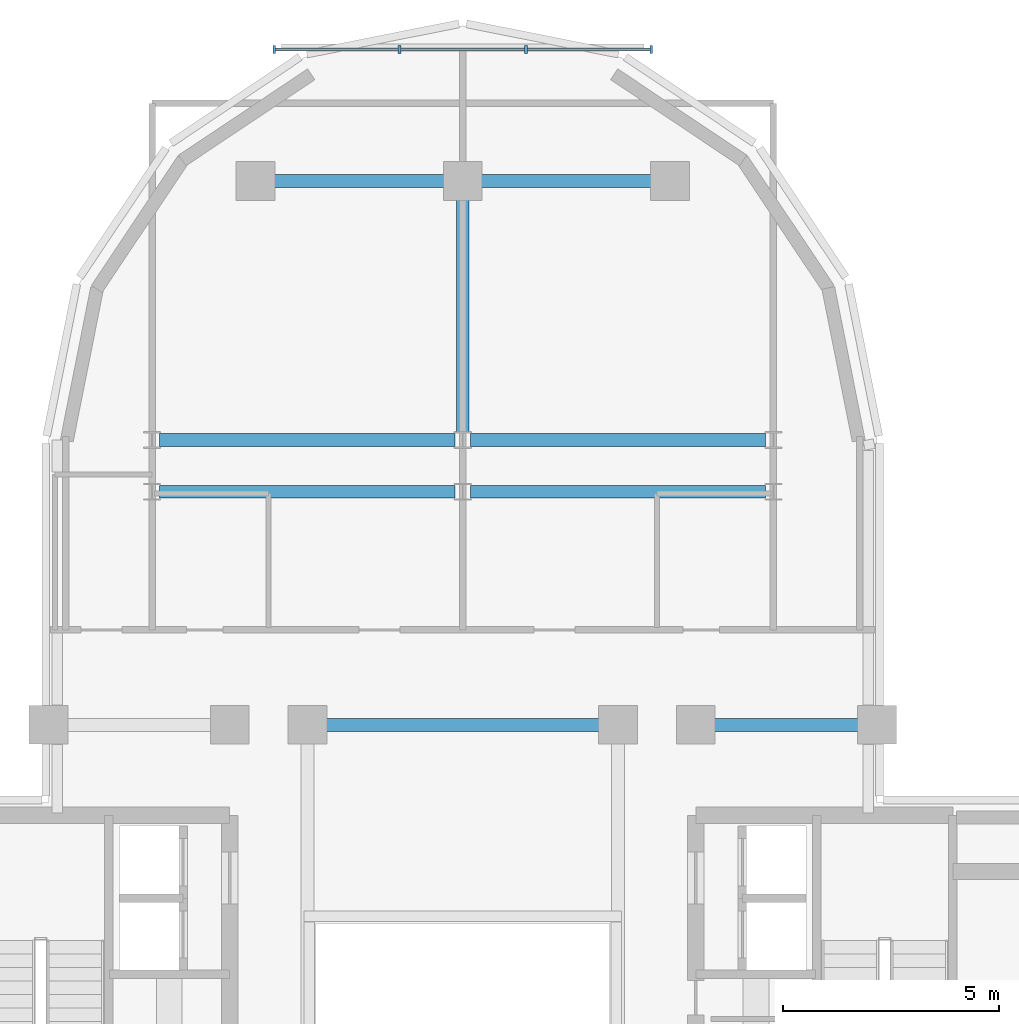
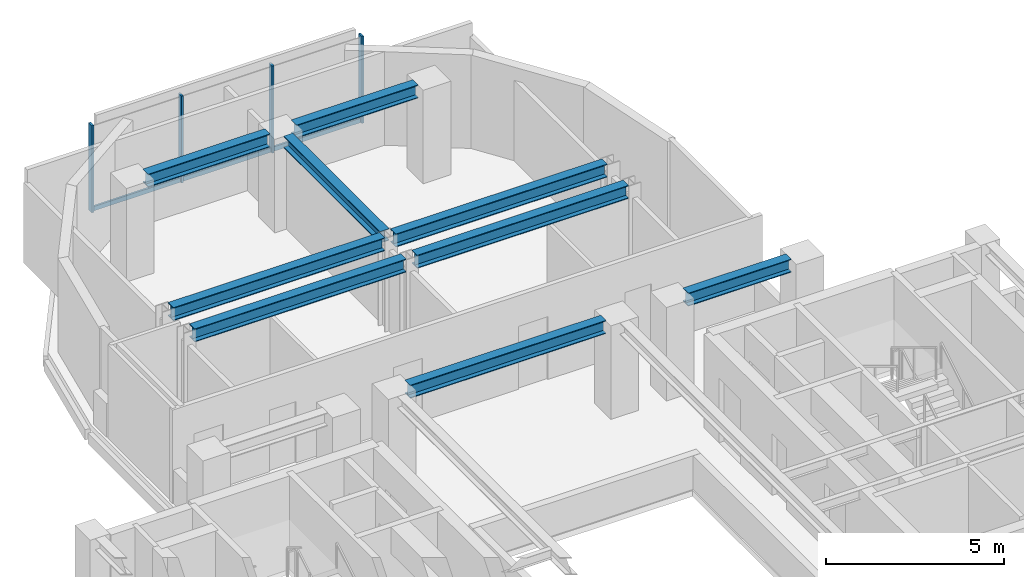
# One storey, part 4 of 11: 9 beams, 7 members, 1 element without a shape of its own.
"""IFC4 building model written with IfcOpenShell, lengths in metres."""

from ifc_helpers import new_model, si_unit, direction, frame, origin, origin_2d, place, context, subcontext, project, spatial, rectangle, i_section, extrude, source, transform, mapped, material, material_profile, profile_set, type_object, element, aggregate, save


model = new_model("IFC4")

# Units and contexts
model_context = context("Model", 3, precision=1e-05, world=origin(), true_north=direction((0.0, 1.0)))
body_context = subcontext(model_context, "Body", "Model", "MODEL_VIEW")
ifc_project = project(units=[si_unit("LENGTHUNIT", "METRE"), si_unit("AREAUNIT", "SQUARE_METRE"), si_unit("VOLUMEUNIT", "CUBIC_METRE"), si_unit("PLANEANGLEUNIT", "RADIAN"), si_unit("MASSUNIT", "GRAM", prefix="KILO")], contexts=[model_context])

# Site, building, storey
site_placement = place(None, origin())
site = spatial("IfcSite", under=ifc_project, at=site_placement, CompositionType="ELEMENT")
building_placement = place(site_placement, origin())
building = spatial("IfcBuilding", under=site, at=building_placement, Name="Keilestroom Media Tower", CompositionType="ELEMENT")
storey_placement = place(building_placement, frame((0.0, 0.0, 201.199951171875)))
storey = spatial("IfcBuildingStorey", under=building, at=storey_placement, Name="L55", CompositionType="ELEMENT", Elevation=201.199951171875)

# Beams
ifc_material_1 = material(Name="Steel S355", Category="steel")
ifc_material_profile_1 = material_profile(ifc_material_1, i_section(OverallWidth=0.300048828125, OverallDepth=0.449951171875, WebThickness=0.011962890625, FlangeThickness=0.02587890625, at=origin_2d()), Name="HEB 450")
ifc_profile_set_1 = profile_set([ifc_material_profile_1], Name="Steel S355")
beam_type_1 = type_object("IfcBeamType", Name="Primary-Structural-Girder-HEB-450", PredefinedType="BEAM", material=ifc_profile_set_1)
shared_shape_1 = source(origin(), body_context, "Body", "SweptSolid", [
    extrude(i_section(OverallWidth=0.300048828125, OverallDepth=0.449951171875, WebThickness=0.011962890625, FlangeThickness=0.02587890625, at=origin_2d()), origin(), (0.0, 0.0, 1.0), 3.940185546875),
])
for number, where, z_axis, x_axis, name in (
    (1, (-4.3701171875, 21.60009765625, 2.97509765625), (1.0, 0.0, 0.0), (0.0, 1.0, 0.0), "L55 Beam BG-7 BM-L55-EW-029"),
    (2, (0.429931640625, 21.60009765625, 2.97509765625), (1.0, 0.0, 0.0), (0.0, 1.0, 0.0), "L55 Beam BG-7 BM-L55-EW-030"),
):
    element("IfcBeam", number, at=place(storey_placement, frame(where, z_axis=z_axis, x_axis=x_axis)), inside=storey, type_object=beam_type_1, Name=name, PredefinedType="BEAM", context=body_context, shape_type="MappedRepresentation", body=[
        mapped(shared_shape_1, transform((0.0, 0.0, 0.0), x_axis=(1.0, 0.0, 0.0), y_axis=(0.0, 1.0, 0.0), z_axis=(0.0, 0.0, 1.0), scale=1.0)),
    ])
shared_shape_2 = source(origin(), body_context, "Body", "SweptSolid", [
    extrude(i_section(OverallWidth=0.300048828125, OverallDepth=0.449951171875, WebThickness=0.011962890625, FlangeThickness=0.02587890625, at=origin_2d()), origin(), (0.0, 0.0, 1.0), 6.842041015625),
])
for number, where, z_axis, x_axis, name in (
    (3, (-7.02099609375, 14.39990234375, 2.97509765625), (1.0, 0.0, 0.0), (0.0, 1.0, 0.0), "L55 Beam BG-7 BM-L55-EW-025"),
    (4, (0.178955078125, 14.39990234375, 2.97509765625), (1.0, 0.0, 0.0), (0.0, 1.0, 0.0), "L55 Beam BG-7 BM-L55-EW-026"),
    (5, (-7.02099609375, 15.60009765625, 2.97509765625), (1.0, 0.0, 0.0), (0.0, 1.0, 0.0), "L55 Beam BG-7 BM-L55-EW-027"),
    (6, (0.178955078125, 15.60009765625, 2.97509765625), (1.0, 0.0, 0.0), (0.0, 1.0, 0.0), "L55 Beam BG-7 BM-L55-EW-028"),
):
    element("IfcBeam", number, at=place(storey_placement, frame(where, z_axis=z_axis, x_axis=x_axis)), inside=storey, type_object=beam_type_1, Name=name, PredefinedType="BEAM", context=body_context, shape_type="MappedRepresentation", body=[
        mapped(shared_shape_2, transform((0.0, 0.0, 0.0), x_axis=(1.0, 0.0, 0.0), y_axis=(0.0, 1.0, 0.0), z_axis=(0.0, 0.0, 1.0), scale=1.0)),
    ])
shared_shape_3 = source(origin(), body_context, "Body", "SweptSolid", [
    extrude(i_section(OverallWidth=0.300048828125, OverallDepth=0.449951171875, WebThickness=0.011962890625, FlangeThickness=0.02587890625, at=origin_2d()), origin(), (0.0, 0.0, 1.0), 3.33984375),
])
beam_1_placement = place(storey_placement, frame((5.830078125, 9.0, 2.97509765625), z_axis=(1.0, 0.0, 0.0), x_axis=(0.0, 1.0, 0.0)))
element("IfcBeam", 7, at=beam_1_placement, inside=storey, type_object=beam_type_1, Name="L55 Beam BG-7 BM-L55-EW-024", PredefinedType="BEAM", context=body_context, shape_type="MappedRepresentation", body=[
    mapped(shared_shape_3, transform((0.0, 0.0, 0.0), x_axis=(1.0, 0.0, 0.0), y_axis=(0.0, 1.0, 0.0), z_axis=(0.0, 0.0, 1.0), scale=1.0)),
])
shared_shape_4 = source(origin(), body_context, "Body", "SweptSolid", [
    extrude(i_section(OverallWidth=0.300048828125, OverallDepth=0.449951171875, WebThickness=0.011962890625, FlangeThickness=0.02587890625, at=origin_2d()), origin(), (0.0, 0.0, 1.0), 6.33984375),
])
beam_2_placement = place(storey_placement, frame((-3.169921875, 9.0, 2.97509765625), z_axis=(1.0, 0.0, 0.0), x_axis=(0.0, 1.0, 0.0)))
element("IfcBeam", 8, at=beam_2_placement, inside=storey, type_object=beam_type_1, Name="L55 Beam BG-7 BM-L55-EW-022", PredefinedType="BEAM", context=body_context, shape_type="MappedRepresentation", body=[
    mapped(shared_shape_4, transform((0.0, 0.0, 0.0), x_axis=(1.0, 0.0, 0.0), y_axis=(0.0, 1.0, 0.0), z_axis=(0.0, 0.0, 1.0), scale=1.0)),
])
ifc_material_profile_2 = material_profile(ifc_material_1, i_section(OverallWidth=0.300048828125, OverallDepth=0.39990234375, WebThickness=0.011474609375, FlangeThickness=0.02392578125, at=origin_2d()), Name="HEB 400")
ifc_profile_set_2 = profile_set([ifc_material_profile_2], Name="Steel S355")
beam_type_2 = type_object("IfcBeamType", Name="Primary-Structural-Girder-HEB-400", PredefinedType="BEAM", material=ifc_profile_set_2)
shared_shape_5 = source(origin(), body_context, "Body", "SweptSolid", [
    extrude(i_section(OverallWidth=0.300048828125, OverallDepth=0.39990234375, WebThickness=0.011474609375, FlangeThickness=0.02392578125, at=origin_2d()), origin(), (0.0, 0.0, 1.0), 5.396484375),
])
beam_3_placement = place(storey_placement, frame((0.0, 15.7734375, 3.0), z_axis=(0.0, 1.0, 0.0), x_axis=(-1.0, 0.0, 0.0)))
element("IfcBeam", 9, at=beam_3_placement, inside=storey, type_object=beam_type_2, Name="L55 Beam BG-8 BM-L55-NS-044", PredefinedType="BEAM", context=body_context, shape_type="MappedRepresentation", body=[
    mapped(shared_shape_5, transform((0.0, 0.0, 0.0), x_axis=(1.0, 0.0, 0.0), y_axis=(0.0, 1.0, 0.0), z_axis=(0.0, 0.0, 1.0), scale=1.0)),
])

# Curtain wall, members
ifc_material_2 = material(Name="Anodised Aluminium Alloy", Category="aluminium")
curtain_wall_type = type_object("IfcCurtainWallType", Name="Unitised-Curtain-Wall-CW-6", PredefinedType="NOTDEFINED", material=ifc_material_2)
curtain_wall_placement = place(storey_placement, origin())
curtain_wall = element("IfcCurtainWall", 10, at=curtain_wall_placement, inside=storey, type_object=curtain_wall_type, Name="L55 Curtain Wall CW-6 CW-L55-LN-1", PredefinedType="NOTDEFINED")
ifc_material_profile_3 = material_profile(ifc_material_2, rectangle(XDim=0.06494140625, YDim=0.179931640625, at=origin_2d()), Name="ALU MULLION 65x180")
ifc_profile_set_3 = profile_set([ifc_material_profile_3], Name="Anodised Aluminium Alloy")
member_type_1 = type_object("IfcMemberType", Name="Curtain-Wall-Mullion-CW-6", PredefinedType="MULLION", material=ifc_profile_set_3)
shared_shape_6 = source(origin(), body_context, "Body", "SweptSolid", [
    extrude(rectangle(XDim=0.06494140625, YDim=0.179931640625, at=origin_2d()), origin(), (0.0, 0.0, 1.0), 2.97998046875),
])
member_1_placement = place(storey_placement, frame((-4.367431640625, 24.64990234375, 0.0), z_axis=(0.0, 0.0, 1.0), x_axis=(1.0, 0.0, 0.0)))
member_1 = element("IfcMember", 11, at=member_1_placement, type_object=member_type_1, Name="CW-6 Mullion 00", PredefinedType="MULLION", context=body_context, shape_type="MappedRepresentation", body=[
    mapped(shared_shape_6, transform((0.0, 0.0, 0.0), x_axis=(1.0, 0.0, 0.0), y_axis=(0.0, 1.0, 0.0), z_axis=(0.0, 0.0, 1.0), scale=1.0)),
])
member_2_placement = place(storey_placement, frame((-1.466796875, 24.64990234375, 0.0), z_axis=(0.0, 0.0, 1.0), x_axis=(1.0, 0.0, 0.0)))
member_2 = element("IfcMember", 12, at=member_2_placement, type_object=member_type_1, Name="CW-6 Mullion 01", PredefinedType="MULLION", context=body_context, shape_type="MappedRepresentation", body=[
    mapped(shared_shape_6, transform((0.0, 0.0, 0.0), x_axis=(1.0, 0.0, 0.0), y_axis=(0.0, 1.0, 0.0), z_axis=(0.0, 0.0, 1.0), scale=1.0)),
])
member_3_placement = place(storey_placement, frame((1.466796875, 24.64990234375, 0.0), z_axis=(0.0, 0.0, 1.0), x_axis=(1.0, 0.0, 0.0)))
member_3 = element("IfcMember", 13, at=member_3_placement, type_object=member_type_1, Name="CW-6 Mullion 02", PredefinedType="MULLION", context=body_context, shape_type="MappedRepresentation", body=[
    mapped(shared_shape_6, transform((0.0, 0.0, 0.0), x_axis=(1.0, 0.0, 0.0), y_axis=(0.0, 1.0, 0.0), z_axis=(0.0, 0.0, 1.0), scale=1.0)),
])
member_4_placement = place(storey_placement, frame((4.367431640625, 24.64990234375, 0.0), z_axis=(0.0, 0.0, 1.0), x_axis=(1.0, 0.0, 0.0)))
member_4 = element("IfcMember", 14, at=member_4_placement, type_object=member_type_1, Name="CW-6 Mullion 03", PredefinedType="MULLION", context=body_context, shape_type="MappedRepresentation", body=[
    mapped(shared_shape_6, transform((0.0, 0.0, 0.0), x_axis=(1.0, 0.0, 0.0), y_axis=(0.0, 1.0, 0.0), z_axis=(0.0, 0.0, 1.0), scale=1.0)),
])
ifc_material_profile_4 = material_profile(ifc_material_2, rectangle(XDim=0.06494140625, YDim=0.14990234375, at=origin_2d()), Name="ALU TRANSOM 65x150")
ifc_profile_set_4 = profile_set([ifc_material_profile_4], Name="Anodised Aluminium Alloy")
member_type_2 = type_object("IfcMemberType", Name="Curtain-Wall-Transom-CW-6", PredefinedType="USERDEFINED", material=ifc_profile_set_4)
shared_shape_7 = source(origin(), body_context, "Body", "SweptSolid", [
    extrude(rectangle(XDim=0.06494140625, YDim=0.14990234375, at=origin_2d()), origin(), (0.0, 0.0, 1.0), 2.839599609375),
])
member_5_placement = place(storey_placement, frame((-4.3369140625, 24.64990234375, 0.074951171875), z_axis=(1.0, 0.0, 0.0), x_axis=(0.0, 1.0, 0.0)))
member_5 = element("IfcMember", 15, at=member_5_placement, type_object=member_type_2, Name="CW-6 Transom 00.1", ObjectType="TRANSOM", PredefinedType="USERDEFINED", context=body_context, shape_type="MappedRepresentation", body=[
    mapped(shared_shape_7, transform((0.0, 0.0, 0.0), x_axis=(1.0, 0.0, 0.0), y_axis=(0.0, 1.0, 0.0), z_axis=(0.0, 0.0, 1.0), scale=1.0)),
])
member_6_placement = place(storey_placement, frame((1.497314453125, 24.64990234375, 0.074951171875), z_axis=(1.0, 0.0, 0.0), x_axis=(0.0, 1.0, 0.0)))
member_6 = element("IfcMember", 16, at=member_6_placement, type_object=member_type_2, Name="CW-6 Transom 02.1", ObjectType="TRANSOM", PredefinedType="USERDEFINED", context=body_context, shape_type="MappedRepresentation", body=[
    mapped(shared_shape_7, transform((0.0, 0.0, 0.0), x_axis=(1.0, 0.0, 0.0), y_axis=(0.0, 1.0, 0.0), z_axis=(0.0, 0.0, 1.0), scale=1.0)),
])
shared_shape_8 = source(origin(), body_context, "Body", "SweptSolid", [
    extrude(rectangle(XDim=0.06494140625, YDim=0.14990234375, at=origin_2d()), origin(), (0.0, 0.0, 1.0), 2.87255859375),
])
member_7_placement = place(storey_placement, frame((-1.436279296875, 24.64990234375, 0.074951171875), z_axis=(1.0, 0.0, 0.0), x_axis=(0.0, 1.0, 0.0)))
member_7 = element("IfcMember", 17, at=member_7_placement, type_object=member_type_2, Name="CW-6 Transom 01.1", ObjectType="TRANSOM", PredefinedType="USERDEFINED", context=body_context, shape_type="MappedRepresentation", body=[
    mapped(shared_shape_8, transform((0.0, 0.0, 0.0), x_axis=(1.0, 0.0, 0.0), y_axis=(0.0, 1.0, 0.0), z_axis=(0.0, 0.0, 1.0), scale=1.0)),
])
aggregate(curtain_wall, [member_1, member_2, member_3, member_4, member_5, member_7, member_6])

save(model, "model.ifc")
